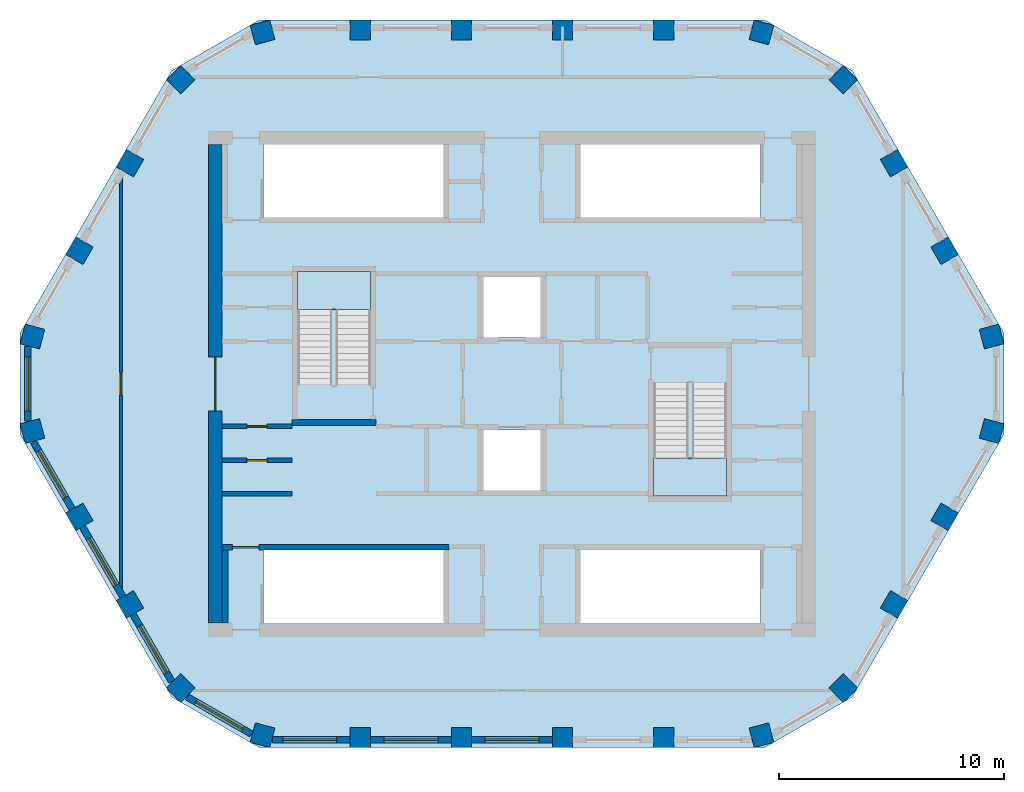
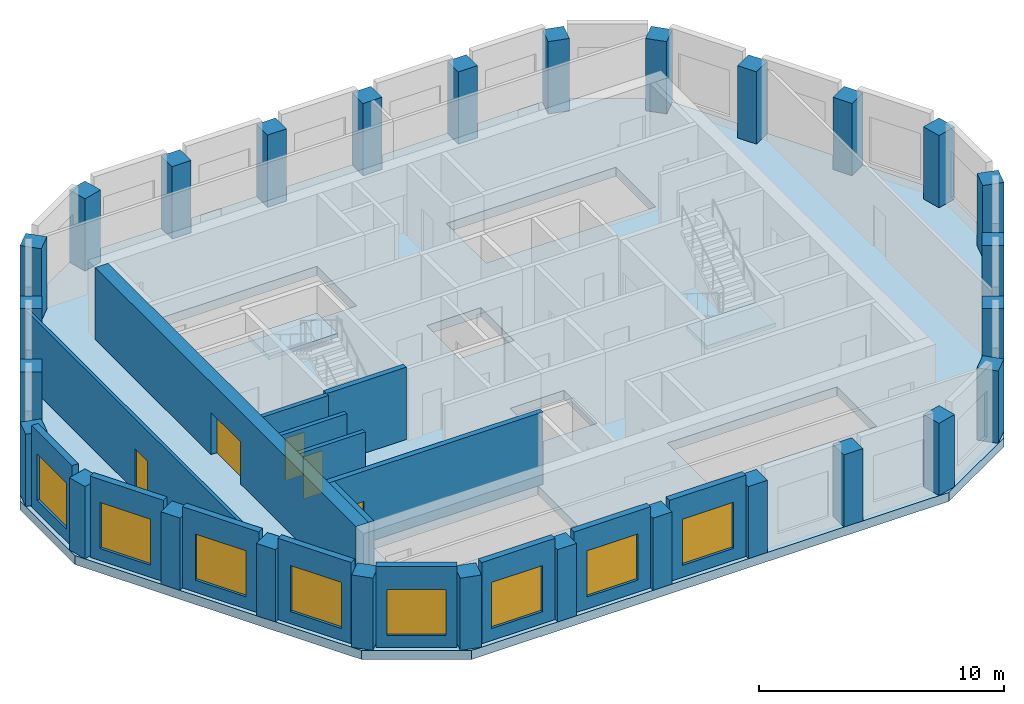
# One storey, part 1 of 6: 28 columns, 16 walls, 8 windows, 5 doors, 3 slabs, 13 openings, 2 elements without a shape of their own.
"""IFC4 building model written with IfcOpenShell, lengths in metres."""

import ifcopenshell
import ifcopenshell.guid

model = None  # the IFC model being written
_history = None  # IfcOwnerHistory: only IFC2X3 demands one
_inside = {}  # id of a spatial element -> (the spatial element, [elements in it])
_under = {}  # id of a project, library or spatial element -> (it, [spatial elements below it])
_declared = {}  # id of a project -> (the project, [libraries it declares])
_typed = {}  # id of a type object -> (the type object, [elements of that type])
_made_of = {}  # id of a material, layer set ... -> (it, [elements and type objects made of it])


def new_model(schema):
    """Start an empty IFC model of exactly this schema.

    Asked for "IFC4X3", IfcOpenShell would pick the latest addendum, in which some entities
    have other attributes; the version numbers below select the first issue.
    IFC2X3 requires an IfcOwnerHistory on every rooted entity: one is made here for all.
    """
    global model, _history
    if schema == "IFC4X3":
        model = ifcopenshell.file(schema_version=(4, 3, 0, 0))
    else:
        model = ifcopenshell.file(schema=schema)
    _inside.clear()
    _under.clear()
    _declared.clear()
    _typed.clear()
    _made_of.clear()
    _history = None
    if model.schema == "IFC2X3":
        org = make("IfcOrganization", Name="unknown")
        user = make(
            "IfcPersonAndOrganization",
            ThePerson=make("IfcPerson", FamilyName="unknown"),
            TheOrganization=org,
        )
        app = make(
            "IfcApplication",
            ApplicationDeveloper=org,
            Version="unknown",
            ApplicationFullName="unknown",
            ApplicationIdentifier="unknown",
        )
        _history = make(
            "IfcOwnerHistory",
            OwningUser=user,
            OwningApplication=app,
            ChangeAction="ADDED",
            CreationDate=0,
        )
    return model


def make(cls, **values):
    """One entity of the class cls with the attributes given. An attribute that is None is left unset."""
    return model.create_entity(
        cls, **{name: value for name, value in values.items() if value is not None}
    )


def rooted(cls, **values):
    """An entity with a GlobalId (a new one), such as an element, a storey or a relation."""
    return make(cls, GlobalId=ifcopenshell.guid.new(), OwnerHistory=_history, **values)


def si_unit(unit_type, name, prefix=None):
    """IfcSIUnit, for example si_unit("LENGTHUNIT", "METRE", prefix="MILLI")."""
    return make("IfcSIUnit", UnitType=unit_type, Prefix=prefix, Name=name)


def assignment(units):
    """IfcUnitAssignment: the units of a project."""
    return None if units is None else make("IfcUnitAssignment", Units=units)


def point(xyz):
    """IfcCartesianPoint."""
    return None if xyz is None else make("IfcCartesianPoint", Coordinates=xyz)


def direction(xyz):
    """IfcDirection."""
    return None if xyz is None else make("IfcDirection", DirectionRatios=xyz)


def frame(location, z_axis=None, x_axis=None):
    """IfcAxis2Placement3D, a coordinate frame: its origin and axes. An axis left out is left unset."""
    return make(
        "IfcAxis2Placement3D",
        Location=point(location),
        Axis=direction(z_axis),
        RefDirection=direction(x_axis),
    )


def frame_2d(location, x_axis=None):
    """IfcAxis2Placement2D, a coordinate frame in the plane: its origin and x axis."""
    return make(
        "IfcAxis2Placement2D", Location=point(location), RefDirection=direction(x_axis)
    )


def origin():
    """The frame at (0, 0, 0) with its axes left unset."""
    return frame((0.0, 0.0, 0.0))


def origin_2d():
    """The frame at (0, 0) in the plane with its x axis left unset."""
    return frame_2d((0.0, 0.0))


def place(relative_to, where):
    """IfcLocalPlacement: puts the frame where relative to a parent placement (None: the world)."""
    return make(
        "IfcLocalPlacement", PlacementRelTo=relative_to, RelativePlacement=where
    )


def context(
    kind, dimensions, precision=None, world=None, true_north=None, identifier=None
):
    """IfcGeometricRepresentationContext, for example the 3D "Model" context."""
    return make(
        "IfcGeometricRepresentationContext",
        ContextIdentifier=identifier,
        ContextType=kind,
        CoordinateSpaceDimension=dimensions,
        Precision=precision,
        WorldCoordinateSystem=world,
        TrueNorth=true_north,
    )


def subcontext(parent, identifier, kind, view, scale=None):
    """IfcGeometricRepresentationSubContext, for example "Body" below "Model"."""
    return make(
        "IfcGeometricRepresentationSubContext",
        ContextIdentifier=identifier,
        ContextType=kind,
        ParentContext=parent,
        TargetScale=scale,
        TargetView=view,
    )


def project(units=None, contexts=None):
    """IfcProject with its units and contexts."""
    return rooted(
        "IfcProject",
        Name="project",
        RepresentationContexts=contexts,
        UnitsInContext=assignment(units),
    )


def spatial(cls, under=None, at=None, **own):
    """A site, building, storey or space (cls), placed at a placement, below another one or the project."""
    s = rooted(cls, ObjectPlacement=at, **own)
    if under is not None:
        _under.setdefault(under.id(), (under, []))[1].append(s)
    return s


def polyline(points):
    """IfcPolyline through the points."""
    return make("IfcPolyline", Points=[point(p) for p in points])


def profile(cls, at=None, kind="AREA", **sizes):
    """A parametric profile (cls). Its sizes go by their IFC names, for example OverallWidth=200.0."""
    return make(cls, ProfileType=kind, Position=at, **sizes)


def rectangle(**sizes):
    """IfcRectangleProfileDef."""
    return profile("IfcRectangleProfileDef", **sizes)


def outline(outer, holes=None, kind="AREA"):
    """IfcArbitraryClosedProfileDef: a profile drawn as a closed curve; with holes, ...WithVoids."""
    if holes is None:
        return make("IfcArbitraryClosedProfileDef", ProfileType=kind, OuterCurve=outer)
    return make(
        "IfcArbitraryProfileDefWithVoids",
        ProfileType=kind,
        OuterCurve=outer,
        InnerCurves=holes,
    )


def extrude(swept, where, along, depth):
    """IfcExtrudedAreaSolid: the profile swept, set in the frame where, extruded along a direction by depth."""
    return make(
        "IfcExtrudedAreaSolid",
        SweptArea=swept,
        Position=where,
        ExtrudedDirection=direction(along),
        Depth=depth,
    )


def shape(context_of_items, identifier, shape_type, items):
    """IfcShapeRepresentation: the items that make up one representation, for example the "Body"."""
    return make(
        "IfcShapeRepresentation",
        ContextOfItems=context_of_items,
        RepresentationIdentifier=identifier,
        RepresentationType=shape_type,
        Items=items,
    )


def material(Name=None, Category=None):
    """IfcMaterial."""
    return make("IfcMaterial", Name=Name, Category=Category)


def layer(
    of_material, thickness, ventilated=None, Name=None, Category=None, Priority=None
):
    """IfcMaterialLayer: one layer of a wall or slab, of a material (None: an air gap)."""
    return make(
        "IfcMaterialLayer",
        Material=of_material,
        LayerThickness=thickness,
        IsVentilated=ventilated,
        Name=Name,
        Category=Category,
        Priority=Priority,
    )


def layer_set(layers, Name=None):
    """IfcMaterialLayerSet."""
    return make("IfcMaterialLayerSet", MaterialLayers=layers, LayerSetName=Name)


def material_profile(
    of_material, cross_section, Name=None, Category=None, Priority=None
):
    """IfcMaterialProfile: a cross section and its material."""
    return make(
        "IfcMaterialProfile",
        Name=Name,
        Material=of_material,
        Profile=cross_section,
        Priority=Priority,
        Category=Category,
    )


def profile_set(profiles, Name=None, composite=None):
    """IfcMaterialProfileSet."""
    return make(
        "IfcMaterialProfileSet",
        Name=Name,
        MaterialProfiles=profiles,
        CompositeProfile=composite,
    )


def made_of(thing, what):
    """Note that an element or type object is made of a material, layer set ...; save() writes the relation."""
    if what is not None:
        _made_of.setdefault(what.id(), (what, []))[1].append(thing)
    return thing


def type_object(cls, material=None, **own):
    """A type object (cls), such as IfcWallType, which elements share."""
    return made_of(rooted(cls, **own), material)


def element(
    cls,
    number,
    at=None,
    inside=None,
    cuts=None,
    type_object=None,
    material=None,
    context=None,
    identifier="Body",
    shape_type=None,
    held_by="IfcProductDefinitionShape",
    body=None,
    shapes=None,
    **own,
):
    """One element of the class cls, such as IfcWall. Its Tag is "e" and its number.

    at: its placement. inside: the storey or other place that contains it. cuts: it is an
    opening in that element (IfcRelVoidsElement). A single representation is given by context,
    identifier, shape_type and body (its items); several are given by shapes. held_by: the class
    of the entity that holds the representations. save() writes the other relations.
    """
    e = rooted(cls, Tag="e%d" % number, ObjectPlacement=at, **own)
    if body is not None:
        shapes = [shape(context, identifier, shape_type, body)]
    if shapes is not None:
        e.Representation = make(held_by, Representations=shapes)
    if inside is not None:
        _inside.setdefault(inside.id(), (inside, []))[1].append(e)
    if cuts is not None:
        rooted(
            "IfcRelVoidsElement", RelatingBuildingElement=cuts, RelatedOpeningElement=e
        )
    if type_object is not None:
        _typed.setdefault(type_object.id(), (type_object, []))[1].append(e)
    return made_of(e, material)


def fill(opening, filler):
    """IfcRelFillsElement: the door or window that sits in an opening."""
    return rooted(
        "IfcRelFillsElement",
        RelatingOpeningElement=opening,
        RelatedBuildingElement=filler,
    )


def aggregate(whole, parts):
    """IfcRelAggregates: a whole, such as a stair, and the parts it consists of."""
    return rooted("IfcRelAggregates", RelatingObject=whole, RelatedObjects=parts)


def save(model, path):
    """Write the relations noted so far, then the file.

    IfcRelAggregates (storeys below a building ...), IfcRelContainedInSpatialStructure (elements
    in a storey), IfcRelDefinesByType, IfcRelAssociatesMaterial and IfcRelDeclares: one each for
    every whole, place, type object, material and project.
    """
    for whole, parts in _under.values():
        aggregate(whole, parts)
    for where, things in _inside.values():
        rooted(
            "IfcRelContainedInSpatialStructure",
            RelatedElements=things,
            RelatingStructure=where,
        )
    for kind, things in _typed.values():
        rooted("IfcRelDefinesByType", RelatedObjects=things, RelatingType=kind)
    for what, things in _made_of.values():
        rooted("IfcRelAssociatesMaterial", RelatedObjects=things, RelatingMaterial=what)
    for by, libraries in _declared.values():
        rooted("IfcRelDeclares", RelatingContext=by, RelatedDefinitions=libraries)
    model.write(path)


model = new_model("IFC4")

# Units and contexts
model_context = context("Model", 3, precision=1e-05, world=origin(), true_north=direction((0.0, 1.0)))
body_context = subcontext(model_context, "Body", "Model", "MODEL_VIEW")
ifc_project = project(units=[si_unit("LENGTHUNIT", "METRE"), si_unit("AREAUNIT", "SQUARE_METRE"), si_unit("VOLUMEUNIT", "CUBIC_METRE"), si_unit("PLANEANGLEUNIT", "RADIAN"), si_unit("MASSUNIT", "GRAM", prefix="KILO")], contexts=[model_context])

# Site, building, storey
site_placement = place(None, origin())
site = spatial("IfcSite", under=ifc_project, at=site_placement, CompositionType="ELEMENT")
building_placement = place(site_placement, origin())
building = spatial("IfcBuilding", under=site, at=building_placement, Name="Dhurran Vertical Campus", CompositionType="ELEMENT")
storey_placement = place(building_placement, frame((0.0, 0.0, 318.89990234375)))
storey = spatial("IfcBuildingStorey", under=building, at=storey_placement, Name="L78 Plant", CompositionType="ELEMENT", Elevation=318.89990234375)

# Columns
ifc_material_1 = material(Name="Concrete C60/75", Category="concrete")
ifc_material_profile = material_profile(ifc_material_1, rectangle(XDim=0.89990234375, YDim=0.89990234375, at=origin_2d()), Name="cr/col/R1")
ifc_profile_set = profile_set([ifc_material_profile], Name="Concrete C60/75")
column_type = type_object("IfcColumnType", Name="cr/col/R1", PredefinedType="COLUMN", material=ifc_profile_set)
for number, where, z_axis, x_axis, name in (
    (1, (-11.102294921875, -15.64013671875, 0.0), (0.0, 0.0, 1.0), (0.965925826289, -0.258819045103, 0.0), "Crown column L78 1"),
    (2, (-6.75, -15.7412109375, 0.0), (0.0, 0.0, 1.0), (1.0, 0.0, 0.0), "Crown column L78 2"),
    (3, (-2.25, -15.7412109375, 0.0), (0.0, 0.0, 1.0), (1.0, 0.0, 0.0), "Crown column L78 3"),
    (4, (2.25, -15.7412109375, 0.0), (0.0, 0.0, 1.0), (1.0, 0.0, 0.0), "Crown column L78 4"),
    (5, (6.75, -15.7412109375, 0.0), (0.0, 0.0, 1.0), (1.0, 0.0, 0.0), "Crown column L78 5"),
    (6, (11.102294921875, -15.64013671875, 0.0), (0.0, 0.0, 1.0), (0.965925826289, 0.258819045103, 0.0), "Crown column L78 6"),
    (7, (14.74365234375, -13.537841796875, 0.0), (0.0, 0.0, 1.0), (0.707106781187, 0.707106781187, 0.0), "Crown column L78 7"),
    (8, (17.00732421875, -9.819091796875, 0.0), (0.0, 0.0, 1.0), (0.5, 0.866025403784, 0.0), "Crown column L78 8"),
    (9, (19.25732421875, -5.922119140625, 0.0), (0.0, 0.0, 1.0), (0.5, 0.866025403784, 0.0), "Crown column L78 9"),
    (10, (21.345947265625, -2.102294921875, 0.0), (0.0, 0.0, 1.0), (0.258819045103, 0.965925826289, 0.0), "Crown column L78 10"),
    (11, (21.345947265625, 2.102294921875, 0.0), (0.0, 0.0, 1.0), (-0.258819045103, 0.965925826289, 0.0), "Crown column L78 11"),
    (12, (19.25732421875, 5.922119140625, 0.0), (0.0, 0.0, 1.0), (-0.5, 0.866025403784, 0.0), "Crown column L78 12"),
    (13, (17.00732421875, 9.819091796875, 0.0), (0.0, 0.0, 1.0), (-0.5, 0.866025403784, 0.0), "Crown column L78 13"),
    (14, (14.74365234375, 13.537841796875, 0.0), (0.0, 0.0, 1.0), (-0.707106781187, 0.707106781187, 0.0), "Crown column L78 14"),
    (15, (11.102294921875, 15.64013671875, 0.0), (0.0, 0.0, 1.0), (-0.965925826289, 0.258819045103, 0.0), "Crown column L78 15"),
    (16, (6.75, 15.7412109375, 0.0), (0.0, 0.0, 1.0), (-1.0, 0.0, 0.0), "Crown column L78 16"),
    (17, (2.25, 15.7412109375, 0.0), (0.0, 0.0, 1.0), (-1.0, 0.0, 0.0), "Crown column L78 17"),
    (18, (-2.25, 15.7412109375, 0.0), (0.0, 0.0, 1.0), (-1.0, 0.0, 0.0), "Crown column L78 18"),
    (19, (-6.75, 15.7412109375, 0.0), (0.0, 0.0, 1.0), (-1.0, 0.0, 0.0), "Crown column L78 19"),
    (20, (-11.102294921875, 15.64013671875, 0.0), (0.0, 0.0, 1.0), (-0.965925826289, -0.258819045103, 0.0), "Crown column L78 20"),
    (21, (-14.74365234375, 13.537841796875, 0.0), (0.0, 0.0, 1.0), (-0.707106781187, -0.707106781187, 0.0), "Crown column L78 21"),
    (22, (-17.00732421875, 9.819091796875, 0.0), (0.0, 0.0, 1.0), (-0.5, -0.866025403784, 0.0), "Crown column L78 22"),
    (23, (-19.25732421875, 5.922119140625, 0.0), (0.0, 0.0, 1.0), (-0.5, -0.866025403784, 0.0), "Crown column L78 23"),
    (24, (-21.345947265625, 2.102294921875, 0.0), (0.0, 0.0, 1.0), (-0.258819045103, -0.965925826289, 0.0), "Crown column L78 24"),
    (25, (-21.345947265625, -2.102294921875, 0.0), (0.0, 0.0, 1.0), (0.258819045103, -0.965925826289, 0.0), "Crown column L78 25"),
    (26, (-19.25732421875, -5.922119140625, 0.0), (0.0, 0.0, 1.0), (0.5, -0.866025403784, 0.0), "Crown column L78 26"),
    (27, (-17.00732421875, -9.819091796875, 0.0), (0.0, 0.0, 1.0), (0.5, -0.866025403784, 0.0), "Crown column L78 27"),
    (28, (-14.74365234375, -13.537841796875, 0.0), (0.0, 0.0, 1.0), (0.707106781187, -0.707106781187, 0.0), "Crown column L78 28"),
):
    element("IfcColumn", number, at=place(storey_placement, frame(where, z_axis=z_axis, x_axis=x_axis)), inside=storey, type_object=column_type, Name=name, PredefinedType="COLUMN", context=body_context, shape_type="SweptSolid", body=[
        extrude(rectangle(XDim=0.89990234375, YDim=0.89990234375, at=origin_2d()), origin(), (0.0, 0.0, 1.0), 3.60009765625),
    ])

# Stair, slab
ifc_material_2 = material(Name="Concrete C40/50", Category="concrete")
stair_type = type_object("IfcStairType", Name="co-ST-CORE", PredefinedType="HALF_TURN_STAIR", material=ifc_material_2)
stair_1_placement = place(storey_placement, origin())
stair_1 = element("IfcStair", 29, at=stair_1_placement, inside=storey, type_object=stair_type, Name="L78 Plant Protected exit stair ST5", PredefinedType="HALF_TURN_STAIR")
ifc_material_3 = material(Name="Concrete C40/50", Category="concrete")
ifc_layer_1 = layer(ifc_material_3, 0.199951171875)
ifc_layer_set_1 = layer_set([ifc_layer_1], Name="Concrete C40/50")
slab_type_1 = type_object("IfcSlabType", Name="co-SL-LANDING", PredefinedType="LANDING", material=ifc_layer_set_1)
slab_1_placement = place(storey_placement, frame((0.0, 0.0, 2.050048828125)))
slab_1 = element("IfcSlab", 30, at=slab_1_placement, type_object=slab_type_1, Name="ST5 landing 1", PredefinedType="LANDING", context=body_context, shape_type="SweptSolid", body=[
    extrude(outline(polyline([(-6.300048828125, 3.31005859375), (-6.300048828125, 5.0), (-9.550048828125, 5.0), (-9.550048828125, 3.31005859375), (-6.300048828125, 3.31005859375)])), origin(), (0.0, 0.0, 1.0), 0.199951171875),
])
aggregate(stair_1, [slab_1])

stair_2_placement = place(storey_placement, origin())
stair_2 = element("IfcStair", 31, at=stair_2_placement, inside=storey, type_object=stair_type, Name="L78 Plant Protected exit stair ST6", PredefinedType="HALF_TURN_STAIR")
slab_2_placement = place(storey_placement, frame((0.0, 0.0, 2.050048828125)))
slab_2 = element("IfcSlab", 32, at=slab_2_placement, type_object=slab_type_1, Name="ST6 landing 1", PredefinedType="LANDING", context=body_context, shape_type="SweptSolid", body=[
    extrude(outline(polyline([(6.300048828125, -3.31005859375), (6.300048828125, -5.0), (9.550048828125, -5.0), (9.550048828125, -3.31005859375), (6.300048828125, -3.31005859375)])), origin(), (0.0, 0.0, 1.0), 0.199951171875),
])
aggregate(stair_2, [slab_2])

# Slab
ifc_material_4 = material(Name="Concrete C40/50", Category="concrete")
ifc_layer_2 = layer(ifc_material_4, 0.449951171875)
ifc_layer_set_2 = layer_set([ifc_layer_2], Name="Concrete C40/50")
slab_type_2 = type_object("IfcSlabType", Name="cr/slab/floor", PredefinedType="FLOOR", material=ifc_layer_set_2)
slab_3_placement = place(storey_placement, frame((0.0, 0.0, -0.449951171875)))
element("IfcSlab", 33, at=slab_3_placement, inside=storey, type_object=slab_type_2, Name="Crown slab L78", PredefinedType="FLOOR", context=body_context, shape_type="SweptSolid", body=[
    extrude(outline(polyline([(-11.25, -16.19091796875), (11.25, -16.19091796875), (15.14697265625, -13.94091796875), (21.89697265625, -2.25), (21.89697265625, 2.25), (15.14697265625, 13.94091796875), (11.25, 16.19091796875), (-11.25, 16.19091796875), (-15.14697265625, 13.94091796875), (-21.89697265625, 2.25), (-21.89697265625, -2.25), (-15.14697265625, -13.94091796875), (-11.25, -16.19091796875)]), holes=[polyline([(-1.27490234375, 4.75), (1.27490234375, 4.75), (1.27490234375, 2.050048828125), (-1.27490234375, 2.050048828125), (-1.27490234375, 4.75)]), polyline([(-1.27490234375, -2.050048828125), (1.27490234375, -2.050048828125), (1.27490234375, -4.75), (-1.27490234375, -4.75), (-1.27490234375, -2.050048828125)]), polyline([(-11.050048828125, 10.64990234375), (-3.050048828125, 10.64990234375), (-3.050048828125, 7.39990234375), (-11.050048828125, 7.39990234375), (-11.050048828125, 10.64990234375)]), polyline([(3.050048828125, 10.64990234375), (11.050048828125, 10.64990234375), (11.050048828125, 7.39990234375), (3.050048828125, 7.39990234375), (3.050048828125, 10.64990234375)]), polyline([(-11.050048828125, -7.39990234375), (-3.050048828125, -7.39990234375), (-3.050048828125, -10.64990234375), (-11.050048828125, -10.64990234375), (-11.050048828125, -7.39990234375)]), polyline([(3.050048828125, -7.39990234375), (11.050048828125, -7.39990234375), (11.050048828125, -10.64990234375), (3.050048828125, -10.64990234375), (3.050048828125, -7.39990234375)])]), origin(), (0.0, 0.0, 1.0), 0.449951171875),
])

# Wall, opening, window
ifc_material_5 = material(Name="Precast concrete C50/60", Category="concrete")
ifc_layer_3 = layer(ifc_material_5, 0.300048828125)
ifc_layer_set_3 = layer_set([ifc_layer_3], Name="Precast concrete C50/60")
wall_type_1 = type_object("IfcWallType", Name="Precast louvre-bay wall 300", PredefinedType="SOLIDWALL", material=ifc_layer_set_3)
wall_1_placement = place(storey_placement, frame((-10.64990234375, -15.84130859375, 0.0), z_axis=(0.0, 0.0, 1.0), x_axis=(1.0, 0.0, 0.0)))
wall_1 = element("IfcWall", 34, at=wall_1_placement, inside=storey, type_object=wall_type_1, Name="EW3 L78.00", PredefinedType="SOLIDWALL", context=body_context, shape_type="SweptSolid", body=[
    extrude(rectangle(XDim=3.449462890625, YDim=0.300048828125, at=frame_2d((1.724609375, 0.0))), origin(), (0.0, 0.0, 1.0), 4.050048828125),
])
opening_1_placement = place(wall_1_placement, frame((0.449951171875, 0.0, 0.60009765625)))
opening_1 = element("IfcOpeningElement", 35, at=opening_1_placement, cuts=wall_1, Name="Opening WT4", PredefinedType="OPENING", context=body_context, shape_type="SweptSolid", body=[
    extrude(rectangle(XDim=2.39990234375, YDim=2.300048828125, at=frame_2d((1.199951171875, 1.14990234375))), frame((0.0, 0.159912109375, 0.0), z_axis=(0.0, -1.0, 0.0), x_axis=(1.0, 0.0, 0.0)), (0.0, 0.0, 1.0), 0.320068359375),
])
ifc_material_6 = material(Name="Aluminium louvre", Category="aluminium")
window_type = type_object("IfcWindowType", Name="Louvred plant vent 2400 x 2300", PartitioningType="SINGLE_PANEL", PredefinedType="WINDOW", material=ifc_material_6)
window_1_placement = place(opening_1_placement, origin())
window_1 = element("IfcWindow", 36, at=window_1_placement, inside=storey, type_object=window_type, Name="WT4 L78.00", OverallHeight=2.300048828125, OverallWidth=2.39990234375, PartitioningType="SINGLE_PANEL", PredefinedType="WINDOW", context=body_context, shape_type="SweptSolid", body=[
    extrude(rectangle(XDim=2.39990234375, YDim=2.300048828125, at=frame_2d((1.199951171875, 1.14990234375))), frame((0.0, 0.030029296875, 0.0), z_axis=(0.0, -1.0, 0.0), x_axis=(1.0, 0.0, 0.0)), (0.0, 0.0, 1.0), 0.06005859375),
])
fill(opening_1, window_1)

wall_2_placement = place(storey_placement, frame((-6.299560546875, -15.84130859375, 0.0), z_axis=(0.0, 0.0, 1.0), x_axis=(1.0, 0.0, 0.0)))
wall_2 = element("IfcWall", 37, at=wall_2_placement, inside=storey, type_object=wall_type_1, Name="EW3 L78.01", PredefinedType="SOLIDWALL", context=body_context, shape_type="SweptSolid", body=[
    extrude(rectangle(XDim=3.59912109375, YDim=0.300048828125, at=frame_2d((1.799560546875, 0.0))), origin(), (0.0, 0.0, 1.0), 4.050048828125),
])
opening_2_placement = place(wall_2_placement, frame((0.599609375, 0.0, 0.60009765625)))
opening_2 = element("IfcOpeningElement", 38, at=opening_2_placement, cuts=wall_2, Name="Opening WT4", PredefinedType="OPENING", context=body_context, shape_type="SweptSolid", body=[
    extrude(rectangle(XDim=2.39990234375, YDim=2.300048828125, at=frame_2d((1.199951171875, 1.14990234375))), frame((0.0, 0.159912109375, 0.0), z_axis=(0.0, -1.0, 0.0), x_axis=(1.0, 0.0, 0.0)), (0.0, 0.0, 1.0), 0.320068359375),
])
window_2_placement = place(opening_2_placement, origin())
window_2 = element("IfcWindow", 39, at=window_2_placement, inside=storey, type_object=window_type, Name="WT4 L78.01", OverallHeight=2.300048828125, OverallWidth=2.39990234375, PartitioningType="SINGLE_PANEL", PredefinedType="WINDOW", context=body_context, shape_type="SweptSolid", body=[
    extrude(rectangle(XDim=2.39990234375, YDim=2.300048828125, at=frame_2d((1.199951171875, 1.14990234375))), frame((0.0, 0.030029296875, 0.0), z_axis=(0.0, -1.0, 0.0), x_axis=(1.0, 0.0, 0.0)), (0.0, 0.0, 1.0), 0.06005859375),
])
fill(opening_2, window_2)

wall_3_placement = place(storey_placement, frame((-1.799560546875, -15.84130859375, 0.0), z_axis=(0.0, 0.0, 1.0), x_axis=(1.0, 0.0, 0.0)))
wall_3 = element("IfcWall", 40, at=wall_3_placement, inside=storey, type_object=wall_type_1, Name="EW3 L78.02", PredefinedType="SOLIDWALL", context=body_context, shape_type="SweptSolid", body=[
    extrude(rectangle(XDim=3.59912109375, YDim=0.300048828125, at=frame_2d((1.799560546875, 0.0))), origin(), (0.0, 0.0, 1.0), 4.050048828125),
])
opening_3_placement = place(wall_3_placement, frame((0.599609375, 0.0, 0.60009765625)))
opening_3 = element("IfcOpeningElement", 41, at=opening_3_placement, cuts=wall_3, Name="Opening WT4", PredefinedType="OPENING", context=body_context, shape_type="SweptSolid", body=[
    extrude(rectangle(XDim=2.39990234375, YDim=2.300048828125, at=frame_2d((1.199951171875, 1.14990234375))), frame((0.0, 0.159912109375, 0.0), z_axis=(0.0, -1.0, 0.0), x_axis=(1.0, 0.0, 0.0)), (0.0, 0.0, 1.0), 0.320068359375),
])
window_3_placement = place(opening_3_placement, origin())
window_3 = element("IfcWindow", 42, at=window_3_placement, inside=storey, type_object=window_type, Name="WT4 L78.02", OverallHeight=2.300048828125, OverallWidth=2.39990234375, PartitioningType="SINGLE_PANEL", PredefinedType="WINDOW", context=body_context, shape_type="SweptSolid", body=[
    extrude(rectangle(XDim=2.39990234375, YDim=2.300048828125, at=frame_2d((1.199951171875, 1.14990234375))), frame((0.0, 0.030029296875, 0.0), z_axis=(0.0, -1.0, 0.0), x_axis=(1.0, 0.0, 0.0)), (0.0, 0.0, 1.0), 0.06005859375),
])
fill(opening_3, window_3)

wall_4_placement = place(storey_placement, frame((-21.547119140625, 1.64990234375, 0.0), z_axis=(0.0, 0.0, 1.0), x_axis=(0.0, -1.0, 0.0)))
wall_4 = element("IfcWall", 43, at=wall_4_placement, inside=storey, type_object=wall_type_1, Name="EW3 L78.23", PredefinedType="SOLIDWALL", context=body_context, shape_type="SweptSolid", body=[
    extrude(rectangle(XDim=3.2998046875, YDim=0.300048828125, at=frame_2d((1.64990234375, 0.0))), origin(), (0.0, 0.0, 1.0), 4.050048828125),
])
opening_4_placement = place(wall_4_placement, frame((0.449951171875, 0.0, 0.60009765625)))
opening_4 = element("IfcOpeningElement", 44, at=opening_4_placement, cuts=wall_4, Name="Opening WT4", PredefinedType="OPENING", context=body_context, shape_type="SweptSolid", body=[
    extrude(rectangle(XDim=2.39990234375, YDim=2.300048828125, at=frame_2d((1.199951171875, 1.14990234375))), frame((0.0, 0.159912109375, 0.0), z_axis=(0.0, -1.0, 0.0), x_axis=(1.0, 0.0, 0.0)), (0.0, 0.0, 1.0), 0.320068359375),
])
window_4_placement = place(opening_4_placement, origin())
window_4 = element("IfcWindow", 45, at=window_4_placement, inside=storey, type_object=window_type, Name="WT4 L78.23", OverallHeight=2.300048828125, OverallWidth=2.39990234375, PartitioningType="SINGLE_PANEL", PredefinedType="WINDOW", context=body_context, shape_type="SweptSolid", body=[
    extrude(rectangle(XDim=2.39990234375, YDim=2.300048828125, at=frame_2d((1.199951171875, 1.14990234375))), frame((0.0, 0.030029296875, 0.0), z_axis=(0.0, -1.0, 0.0), x_axis=(1.0, 0.0, 0.0)), (0.0, 0.0, 1.0), 0.06005859375),
])
fill(opening_4, window_4)

wall_5_placement = place(storey_placement, frame((-21.2939453125, -2.5947265625, 0.0), z_axis=(0.0, 0.0, 1.0), x_axis=(0.499975693202, -0.866039436866, 0.0)))
wall_5 = element("IfcWall", 46, at=wall_5_placement, inside=storey, type_object=wall_type_1, Name="EW3 L78.24", PredefinedType="SOLIDWALL", context=body_context, shape_type="SweptSolid", body=[
    extrude(rectangle(XDim=3.449462890625, YDim=0.300048828125, at=frame_2d((1.724609375, 0.0))), origin(), (0.0, 0.0, 1.0), 4.050048828125),
])
opening_5_placement = place(wall_5_placement, frame((0.449951171875, 0.0, 0.60009765625)))
opening_5 = element("IfcOpeningElement", 47, at=opening_5_placement, cuts=wall_5, Name="Opening WT4", PredefinedType="OPENING", context=body_context, shape_type="SweptSolid", body=[
    extrude(rectangle(XDim=2.39990234375, YDim=2.300048828125, at=frame_2d((1.199951171875, 1.14990234375))), frame((0.0, 0.159912109375, 0.0), z_axis=(0.0, -1.0, 0.0), x_axis=(1.0, 0.0, 0.0)), (0.0, 0.0, 1.0), 0.320068359375),
])
window_5_placement = place(opening_5_placement, origin())
window_5 = element("IfcWindow", 48, at=window_5_placement, inside=storey, type_object=window_type, Name="WT4 L78.24", OverallHeight=2.300048828125, OverallWidth=2.39990234375, PartitioningType="SINGLE_PANEL", PredefinedType="WINDOW", context=body_context, shape_type="SweptSolid", body=[
    extrude(rectangle(XDim=2.39990234375, YDim=2.300048828125, at=frame_2d((1.199951171875, 1.14990234375))), frame((0.0, 0.030029296875, 0.0), z_axis=(0.0, -1.0, 0.0), x_axis=(1.0, 0.0, 0.0)), (0.0, 0.0, 1.0), 0.06005859375),
])
fill(opening_5, window_5)

wall_6_placement = place(storey_placement, frame((-19.118896484375, -6.3623046875, 0.0), z_axis=(0.0, 0.0, 1.0), x_axis=(0.500027802648, -0.866009351323, 0.0)))
wall_6 = element("IfcWall", 49, at=wall_6_placement, inside=storey, type_object=wall_type_1, Name="EW3 L78.25", PredefinedType="SOLIDWALL", context=body_context, shape_type="SweptSolid", body=[
    extrude(rectangle(XDim=3.598876953125, YDim=0.300048828125, at=frame_2d((1.79931640625, 0.0))), origin(), (0.0, 0.0, 1.0), 4.050048828125),
])
opening_6_placement = place(wall_6_placement, frame((0.599609375, 0.0, 0.60009765625)))
opening_6 = element("IfcOpeningElement", 50, at=opening_6_placement, cuts=wall_6, Name="Opening WT4", PredefinedType="OPENING", context=body_context, shape_type="SweptSolid", body=[
    extrude(rectangle(XDim=2.39990234375, YDim=2.300048828125, at=frame_2d((1.199951171875, 1.14990234375))), frame((0.0, 0.159912109375, 0.0), z_axis=(0.0, -1.0, 0.0), x_axis=(1.0, 0.0, 0.0)), (0.0, 0.0, 1.0), 0.320068359375),
])
window_6_placement = place(opening_6_placement, origin())
window_6 = element("IfcWindow", 51, at=window_6_placement, inside=storey, type_object=window_type, Name="WT4 L78.25", OverallHeight=2.300048828125, OverallWidth=2.39990234375, PartitioningType="SINGLE_PANEL", PredefinedType="WINDOW", context=body_context, shape_type="SweptSolid", body=[
    extrude(rectangle(XDim=2.39990234375, YDim=2.300048828125, at=frame_2d((1.199951171875, 1.14990234375))), frame((0.0, 0.030029296875, 0.0), z_axis=(0.0, -1.0, 0.0), x_axis=(1.0, 0.0, 0.0)), (0.0, 0.0, 1.0), 0.06005859375),
])
fill(opening_6, window_6)

wall_7_placement = place(storey_placement, frame((-16.868896484375, -10.259521484375, 0.0), z_axis=(0.0, 0.0, 1.0), x_axis=(0.500059425018, -0.865991092016, 0.0)))
wall_7 = element("IfcWall", 52, at=wall_7_placement, inside=storey, type_object=wall_type_1, Name="EW3 L78.26", PredefinedType="SOLIDWALL", context=body_context, shape_type="SweptSolid", body=[
    extrude(rectangle(XDim=3.44921875, YDim=0.300048828125, at=frame_2d((1.724609375, 0.0))), origin(), (0.0, 0.0, 1.0), 4.050048828125),
])
opening_7_placement = place(wall_7_placement, frame((0.599609375, 0.0, 0.60009765625)))
opening_7 = element("IfcOpeningElement", 53, at=opening_7_placement, cuts=wall_7, Name="Opening WT4", PredefinedType="OPENING", context=body_context, shape_type="SweptSolid", body=[
    extrude(rectangle(XDim=2.39990234375, YDim=2.300048828125, at=frame_2d((1.199951171875, 1.14990234375))), frame((0.0, 0.159912109375, 0.0), z_axis=(0.0, -1.0, 0.0), x_axis=(1.0, 0.0, 0.0)), (0.0, 0.0, 1.0), 0.320068359375),
])
window_7_placement = place(opening_7_placement, origin())
window_7 = element("IfcWindow", 54, at=window_7_placement, inside=storey, type_object=window_type, Name="WT4 L78.26", OverallHeight=2.300048828125, OverallWidth=2.39990234375, PartitioningType="SINGLE_PANEL", PredefinedType="WINDOW", context=body_context, shape_type="SweptSolid", body=[
    extrude(rectangle(XDim=2.39990234375, YDim=2.300048828125, at=frame_2d((1.199951171875, 1.14990234375))), frame((0.0, 0.030029296875, 0.0), z_axis=(0.0, -1.0, 0.0), x_axis=(1.0, 0.0, 0.0)), (0.0, 0.0, 1.0), 0.06005859375),
])
fill(opening_7, window_7)

wall_8_placement = place(storey_placement, frame((-14.452392578125, -13.938232421875, 0.0), z_axis=(0.0, 0.0, 1.0), x_axis=(0.866021716278, -0.500006386895, 0.0)))
wall_8 = element("IfcWall", 55, at=wall_8_placement, inside=storey, type_object=wall_type_1, Name="EW3 L78.27", PredefinedType="SOLIDWALL", context=body_context, shape_type="SweptSolid", body=[
    extrude(rectangle(XDim=3.2998046875, YDim=0.300048828125, at=frame_2d((1.64990234375, 0.0))), origin(), (0.0, 0.0, 1.0), 4.050048828125),
])
opening_8_placement = place(wall_8_placement, frame((0.449951171875, 0.0, 0.60009765625)))
opening_8 = element("IfcOpeningElement", 56, at=opening_8_placement, cuts=wall_8, Name="Opening WT4", PredefinedType="OPENING", context=body_context, shape_type="SweptSolid", body=[
    extrude(rectangle(XDim=2.39990234375, YDim=2.300048828125, at=frame_2d((1.199951171875, 1.14990234375))), frame((0.0, 0.159912109375, 0.0), z_axis=(0.0, -1.0, 0.0), x_axis=(1.0, 0.0, 0.0)), (0.0, 0.0, 1.0), 0.320068359375),
])
window_8_placement = place(opening_8_placement, origin())
window_8 = element("IfcWindow", 57, at=window_8_placement, inside=storey, type_object=window_type, Name="WT4 L78.27", OverallHeight=2.300048828125, OverallWidth=2.39990234375, PartitioningType="SINGLE_PANEL", PredefinedType="WINDOW", context=body_context, shape_type="SweptSolid", body=[
    extrude(rectangle(XDim=2.39990234375, YDim=2.300048828125, at=frame_2d((1.199951171875, 1.14990234375))), frame((0.0, 0.030029296875, 0.0), z_axis=(0.0, -1.0, 0.0), x_axis=(1.0, 0.0, 0.0)), (0.0, 0.0, 1.0), 0.06005859375),
])
fill(opening_8, window_8)

# Wall, opening, door
ifc_material_7 = material(Name="Concrete C50/60", Category="concrete")
ifc_layer_4 = layer(ifc_material_7, 0.60009765625)
ifc_layer_set_4 = layer_set([ifc_layer_4], Name="Concrete C50/60")
wall_type_2 = type_object("IfcWallType", Name="co-CORE-WALL-C2-600", PredefinedType="SHEAR", material=ifc_layer_set_4)
wall_9_placement = place(storey_placement, frame((-13.199951171875, -10.64990234375, 0.0), z_axis=(0.0, 0.0, 1.0), x_axis=(0.0, 1.0, 0.0)))
wall_9 = element("IfcWall", 58, at=wall_9_placement, inside=storey, type_object=wall_type_2, Name="Core wall W L78", PredefinedType="SHEAR", context=body_context, shape_type="SweptSolid", body=[
    extrude(rectangle(XDim=21.2998046875, YDim=0.60009765625, at=frame_2d((10.64990234375, 0.0))), origin(), (0.0, 0.0, 1.0), 3.60009765625),
])
opening_9_placement = place(wall_9_placement, frame((9.449951171875, 0.0, 0.0)))
opening_9 = element("IfcOpeningElement", 59, at=opening_9_placement, cuts=wall_9, Name="Opening CL1", PredefinedType="OPENING", context=body_context, shape_type="SweptSolid", body=[
    extrude(rectangle(XDim=2.39990234375, YDim=2.10009765625, at=frame_2d((1.199951171875, 1.050048828125))), frame((0.0, 0.31005859375, 0.0), z_axis=(0.0, -1.0, 0.0), x_axis=(1.0, 0.0, 0.0)), (0.0, 0.0, 1.0), 0.6201171875),
])
ifc_material_8 = material(Name="Fire-rated glazed door set")
door_type_1 = type_object("IfcDoorType", Name="co-D-LOBBY 2400x2100", OperationType="DOUBLE_DOOR_DOUBLE_SWING", PredefinedType="DOOR", material=ifc_material_8)
door_1_placement = place(opening_9_placement, origin())
door_1 = element("IfcDoor", 60, at=door_1_placement, inside=storey, type_object=door_type_1, Name="Lift lobby door W L78", OperationType="DOUBLE_DOOR_DOUBLE_SWING", OverallHeight=2.10009765625, OverallWidth=2.39990234375, PredefinedType="DOOR", context=body_context, shape_type="SweptSolid", body=[
    extrude(rectangle(XDim=2.39990234375, YDim=2.10009765625, at=frame_2d((1.199951171875, 1.050048828125))), frame((0.0, 0.02490234375, 0.0), z_axis=(0.0, -1.0, 0.0), x_axis=(1.0, 0.0, 0.0)), (0.0, 0.0, 1.0), 0.050048828125),
])
fill(opening_9, door_1)

ifc_material_9 = material(Name="Fire-rated masonry blockwork", Category="masonry")
ifc_layer_5 = layer(ifc_material_9, 0.199951171875)
ifc_layer_set_5 = layer_set([ifc_layer_5], Name="Fire-rated masonry blockwork")
wall_type_3 = type_object("IfcWallType", Name="co-FIRE-PARTITION-200", PredefinedType="PARTITIONING", material=ifc_layer_set_5)
wall_10_placement = place(storey_placement, frame((-12.89990234375, -3.39990234375, 0.0), z_axis=(0.0, 0.0, 1.0), x_axis=(1.0, 0.0, 0.0)))
wall_10 = element("IfcWall", 61, at=wall_10_placement, inside=storey, type_object=wall_type_3, Name="Core partition fr-S0-c L78", PredefinedType="PARTITIONING", context=body_context, shape_type="SweptSolid", body=[
    extrude(rectangle(XDim=3.099853515625, YDim=0.199951171875, at=frame_2d((1.5498046875, 0.0))), origin(), (0.0, 0.0, 1.0), 3.60009765625),
])
opening_10_placement = place(wall_10_placement, frame((1.10009765625, 0.0, 0.0)))
opening_10 = element("IfcOpeningElement", 62, at=opening_10_placement, cuts=wall_10, Name="Opening CR78-C13", PredefinedType="OPENING", context=body_context, shape_type="SweptSolid", body=[
    extrude(rectangle(XDim=0.89990234375, YDim=2.10009765625, at=frame_2d((0.449951171875, 1.050048828125))), frame((0.0, 0.10986328125, 0.0), z_axis=(0.0, -1.0, 0.0), x_axis=(1.0, 0.0, 0.0)), (0.0, 0.0, 1.0), 0.219970703125),
])
ifc_material_10 = material(Name="Fire-rated timber door set", Category="wood")
door_type_2 = type_object("IfcDoorType", Name="co-D-ROOM 900x2100", OperationType="SINGLE_SWING_LEFT", PredefinedType="DOOR", material=ifc_material_10)
door_2_placement = place(opening_10_placement, origin())
door_2 = element("IfcDoor", 63, at=door_2_placement, inside=storey, type_object=door_type_2, Name="Pantry door L78", OperationType="SINGLE_SWING_LEFT", OverallHeight=2.10009765625, OverallWidth=0.89990234375, PredefinedType="DOOR", context=body_context, shape_type="SweptSolid", body=[
    extrude(rectangle(XDim=0.89990234375, YDim=2.10009765625, at=frame_2d((0.449951171875, 1.050048828125))), frame((0.0, 0.02490234375, 0.0), z_axis=(0.0, -1.0, 0.0), x_axis=(1.0, 0.0, 0.0)), (0.0, 0.0, 1.0), 0.050048828125),
])
fill(opening_10, door_2)

wall_11_placement = place(storey_placement, frame((-12.89990234375, -1.89990234375, 0.0), z_axis=(0.0, 0.0, 1.0), x_axis=(1.0, 0.0, 0.0)))
wall_11 = element("IfcWall", 64, at=wall_11_placement, inside=storey, type_object=wall_type_3, Name="Core partition fr-S0-f L78", PredefinedType="PARTITIONING", context=body_context, shape_type="SweptSolid", body=[
    extrude(rectangle(XDim=3.099853515625, YDim=0.199951171875, at=frame_2d((1.5498046875, 0.0))), origin(), (0.0, 0.0, 1.0), 3.60009765625),
])
opening_11_placement = place(wall_11_placement, frame((1.10009765625, 0.0, 0.0)))
opening_11 = element("IfcOpeningElement", 65, at=opening_11_placement, cuts=wall_11, Name="Opening CR78-C14", PredefinedType="OPENING", context=body_context, shape_type="SweptSolid", body=[
    extrude(rectangle(XDim=0.89990234375, YDim=2.10009765625, at=frame_2d((0.449951171875, 1.050048828125))), frame((0.0, 0.10986328125, 0.0), z_axis=(0.0, -1.0, 0.0), x_axis=(1.0, 0.0, 0.0)), (0.0, 0.0, 1.0), 0.219970703125),
])
door_3_placement = place(opening_11_placement, origin())
door_3 = element("IfcDoor", 66, at=door_3_placement, inside=storey, type_object=door_type_2, Name="Housekeeping store door L78", OperationType="SINGLE_SWING_LEFT", OverallHeight=2.10009765625, OverallWidth=0.89990234375, PredefinedType="DOOR", context=body_context, shape_type="SweptSolid", body=[
    extrude(rectangle(XDim=0.89990234375, YDim=2.10009765625, at=frame_2d((0.449951171875, 1.050048828125))), frame((0.0, 0.02490234375, 0.0), z_axis=(0.0, -1.0, 0.0), x_axis=(1.0, 0.0, 0.0)), (0.0, 0.0, 1.0), 0.050048828125),
])
fill(opening_11, door_3)

# Wall
wall_12_placement = place(storey_placement, frame((-12.89990234375, -4.89990234375, 0.0), z_axis=(0.0, 0.0, 1.0), x_axis=(1.0, 0.0, 0.0)))
element("IfcWall", 67, at=wall_12_placement, inside=storey, type_object=wall_type_3, Name="Core partition fr-S0-b L78", PredefinedType="PARTITIONING", context=body_context, shape_type="SweptSolid", body=[
    extrude(rectangle(XDim=3.099853515625, YDim=0.199951171875, at=frame_2d((1.5498046875, 0.0))), origin(), (0.0, 0.0, 1.0), 3.60009765625),
])

# Wall, opening, door
ifc_material_11 = material(Name="Concrete C40/50", Category="concrete")
ifc_layer_6 = layer(ifc_material_11, 0.25)
ifc_layer_set_6 = layer_set([ifc_layer_6], Name="Concrete C40/50")
wall_type_4 = type_object("IfcWallType", Name="co-STAIR-WALL-250", PredefinedType="SHEAR", material=ifc_layer_set_6)
wall_13_placement = place(storey_placement, frame((-12.89990234375, -7.27490234375, 0.0), z_axis=(0.0, 0.0, 1.0), x_axis=(1.0, 0.0, 0.0)))
wall_13 = element("IfcWall", 68, at=wall_13_placement, inside=storey, type_object=wall_type_4, Name="Stair ST3 enclosure wall L78", PredefinedType="SHEAR", context=body_context, shape_type="SweptSolid", body=[
    extrude(rectangle(XDim=10.099853515625, YDim=0.25, at=frame_2d((5.0498046875, 0.0))), origin(), (0.0, 0.0, 1.0), 3.60009765625),
])
opening_12_placement = place(wall_13_placement, frame((0.449951171875, 0.0, 0.0)))
opening_12 = element("IfcOpeningElement", 69, at=opening_12_placement, cuts=wall_13, Name="Opening SD3", PredefinedType="OPENING", context=body_context, shape_type="SweptSolid", body=[
    extrude(rectangle(XDim=1.199951171875, YDim=2.10009765625, at=frame_2d((0.60009765625, 1.050048828125))), frame((0.0, 0.135009765625, 0.0), z_axis=(0.0, -1.0, 0.0), x_axis=(1.0, 0.0, 0.0)), (0.0, 0.0, 1.0), 0.27001953125),
])
ifc_material_12 = material(Name="Fire-rated steel door set", Category="steel")
door_type_3 = type_object("IfcDoorType", Name="co-D-STAIR 1200x2100", OperationType="SINGLE_SWING_LEFT", PredefinedType="DOOR", material=ifc_material_12)
door_4_placement = place(opening_12_placement, origin())
door_4 = element("IfcDoor", 70, at=door_4_placement, inside=storey, type_object=door_type_3, Name="Stair ST3 door L78", OperationType="SINGLE_SWING_LEFT", OverallHeight=2.10009765625, OverallWidth=1.199951171875, PredefinedType="DOOR", context=body_context, shape_type="SweptSolid", body=[
    extrude(rectangle(XDim=1.199951171875, YDim=2.10009765625, at=frame_2d((0.60009765625, 1.050048828125))), frame((0.0, 0.02490234375, 0.0), z_axis=(0.0, -1.0, 0.0), x_axis=(1.0, 0.0, 0.0)), (0.0, 0.0, 1.0), 0.050048828125),
])
fill(opening_12, door_4)

# Walls
wall_14_placement = place(storey_placement, frame((-12.77490234375, -10.64990234375, 0.0), z_axis=(0.0, 0.0, 1.0), x_axis=(0.0, 1.0, 0.0)))
element("IfcWall", 71, at=wall_14_placement, inside=storey, type_object=wall_type_4, Name="Stair ST3 enclosure wall L78", PredefinedType="SHEAR", context=body_context, shape_type="SweptSolid", body=[
    extrude(rectangle(XDim=3.25, YDim=0.25, at=frame_2d((1.625, 0.0))), origin(), (0.0, 0.0, 1.0), 3.60009765625),
])
wall_15_placement = place(storey_placement, frame((-9.800048828125, -1.72509765625, 0.0), z_axis=(0.0, 0.0, 1.0), x_axis=(1.0, 0.0, 0.0)))
element("IfcWall", 72, at=wall_15_placement, inside=storey, type_object=wall_type_4, Name="Stair ST5 enclosure wall L78", PredefinedType="SHEAR", context=body_context, shape_type="SweptSolid", body=[
    extrude(rectangle(XDim=3.75, YDim=0.25, at=frame_2d((1.875, 0.0))), origin(), (0.0, 0.0, 1.0), 3.60009765625),
])

# Wall, opening, door
ifc_material_13 = material(Name="Gypsum board corridor wall on steel studs", Category="steel")
ifc_layer_7 = layer(ifc_material_13, 0.14990234375)
ifc_layer_set_7 = layer_set([ifc_layer_7], Name="Gypsum board corridor wall on steel studs")
wall_type_5 = type_object("IfcWallType", Name="fl-CW-150 corridor wall", PredefinedType="PARTITIONING", material=ifc_layer_set_7)
wall_16_placement = place(storey_placement, frame((-17.39990234375, 9.43896484375, 0.0), z_axis=(0.0, 0.0, 1.0), x_axis=(0.0, -1.0, 0.0)))
wall_16 = element("IfcWall", 73, at=wall_16_placement, inside=storey, type_object=wall_type_5, Name="Partition 78-01", PredefinedType="PARTITIONING", context=body_context, shape_type="SweptSolid", body=[
    extrude(rectangle(XDim=18.8779296875, YDim=0.14990234375, at=frame_2d((9.43896484375, 0.0))), origin(), (0.0, 0.0, 1.0), 3.60009765625),
])
opening_13_placement = place(wall_16_placement, frame((8.93896484375, 0.0, 0.0)))
opening_13 = element("IfcOpeningElement", 74, at=opening_13_placement, cuts=wall_16, Name="Opening CR78.01", PredefinedType="OPENING", context=body_context, shape_type="SweptSolid", body=[
    extrude(rectangle(XDim=1.0, YDim=2.10009765625, at=frame_2d((0.5, 1.050048828125))), frame((0.0, 0.0849609375, 0.0), z_axis=(0.0, -1.0, 0.0), x_axis=(1.0, 0.0, 0.0)), (0.0, 0.0, 1.0), 0.169921875),
])
ifc_material_14 = material(Name="Solid-core timber door set, fire-rated", Category="wood")
door_type_4 = type_object("IfcDoorType", Name="fl-D-1000x2100", OperationType="SINGLE_SWING_LEFT", PredefinedType="DOOR", material=ifc_material_14)
door_5_placement = place(opening_13_placement, origin())
door_5 = element("IfcDoor", 75, at=door_5_placement, inside=storey, type_object=door_type_4, Name="Door 78.01", OperationType="SINGLE_SWING_RIGHT", OverallHeight=2.10009765625, OverallWidth=1.0, PredefinedType="DOOR", context=body_context, shape_type="SweptSolid", body=[
    extrude(rectangle(XDim=1.0, YDim=2.10009765625, at=frame_2d((0.5, 1.050048828125))), frame((0.0, 0.02490234375, 0.0), z_axis=(0.0, -1.0, 0.0), x_axis=(1.0, 0.0, 0.0)), (0.0, 0.0, 1.0), 0.050048828125),
])
fill(opening_13, door_5)

save(model, "model.ifc")
